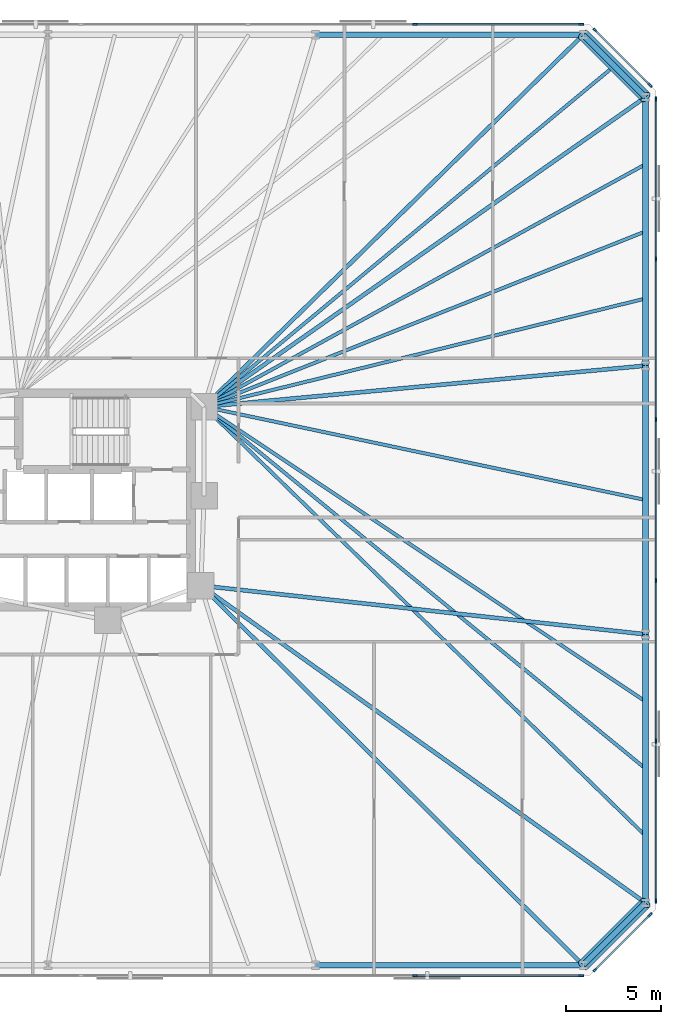
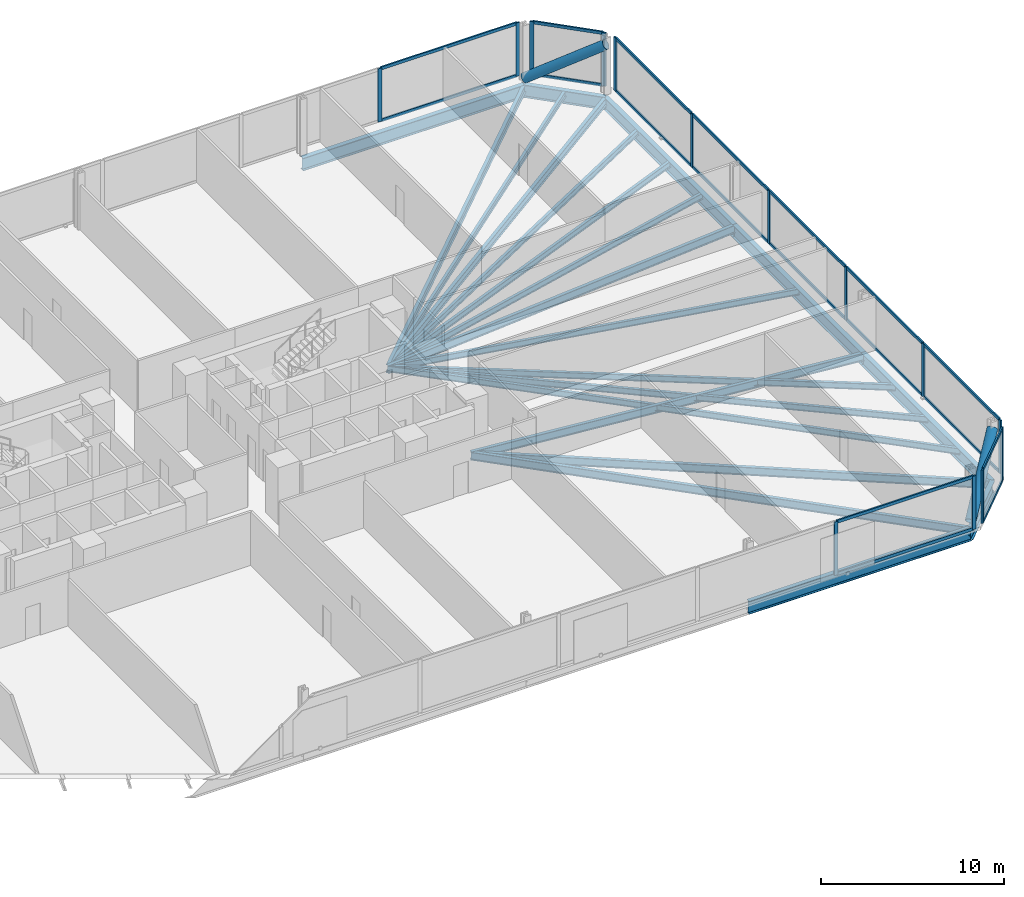
# One storey, part 10 of 17: 34 members, 21 beams, 5 elements without a shape of their own.
"""IFC4 building model written with IfcOpenShell, lengths in metres."""

from ifc_helpers import new_model, si_unit, direction, frame, origin, origin_2d, place, context, subcontext, project, spatial, rectangle, hollow_circle, i_section, extrude, material, material_profile, profile_set, type_object, element, aggregate, save


model = new_model("IFC4")

# Units and contexts
model_context = context("Model", 3, precision=1e-05, world=origin(), true_north=direction((0.0, 1.0)))
body_context = subcontext(model_context, "Body", "Model", "MODEL_VIEW")
ifc_project = project(units=[si_unit("LENGTHUNIT", "METRE"), si_unit("AREAUNIT", "SQUARE_METRE"), si_unit("VOLUMEUNIT", "CUBIC_METRE"), si_unit("PLANEANGLEUNIT", "RADIAN"), si_unit("MASSUNIT", "GRAM", prefix="KILO")], contexts=[model_context])

# Site, building, storey
site_placement = place(None, origin())
site = spatial("IfcSite", under=ifc_project, at=site_placement, CompositionType="ELEMENT")
building_placement = place(site_placement, origin())
building = spatial("IfcBuilding", under=site, at=building_placement, Name="Menara Jurai Vektor", CompositionType="ELEMENT")
storey_placement = place(building_placement, frame((0.0, 0.0, 63.60009765625)))
storey = spatial("IfcBuildingStorey", under=building, at=storey_placement, Name="L15", CompositionType="ELEMENT", Elevation=63.60009765625)

# Curtain wall, members
ifc_material_1 = material(Name="Anodised Pale Aluminium & Low-E Double Glazing", Category="aluminium")
curtain_wall_type = type_object("IfcCurtainWallType", Name="CW-BLK1", PredefinedType="NOTDEFINED", material=ifc_material_1)
curtain_wall_1_placement = place(storey_placement, origin())
curtain_wall_1 = element("IfcCurtainWall", 1, at=curtain_wall_1_placement, inside=storey, type_object=curtain_wall_type, Name="Unitised Curtain Wall L15 F01", PredefinedType="NOTDEFINED")
ifc_material_2 = material(Name="Anodised Pale Aluminium Mullion", Category="aluminium")
ifc_material_profile_1 = material_profile(ifc_material_2, rectangle(XDim=0.094970703125, YDim=0.239990234375, at=origin_2d()), Name="ALU MUL 95x240")
ifc_profile_set_1 = profile_set([ifc_material_profile_1], Name="Anodised Pale Aluminium Mullion")
member_type_1 = type_object("IfcMemberType", Name="CW-BLK1-MUL", PredefinedType="MULLION", material=ifc_profile_set_1)
member_1_placement = place(storey_placement, frame((26.340087890625, -25.0, 0.0), z_axis=(0.0, 0.0, 1.0), x_axis=(0.0, 1.0, 0.0)))
member_1 = element("IfcMember", 2, at=member_1_placement, type_object=member_type_1, Name="CW-01 mullion 8", PredefinedType="MULLION", context=body_context, shape_type="SweptSolid", body=[
    extrude(rectangle(XDim=0.094970703125, YDim=0.239990234375, at=origin_2d()), origin(), (0.0, 0.0, 1.0), 3.574951171875),
])
member_2_placement = place(storey_placement, frame((35.072509765625, -25.0, 0.0), z_axis=(0.0, 0.0, 1.0), x_axis=(0.0, 1.0, 0.0)))
member_2 = element("IfcMember", 3, at=member_2_placement, type_object=member_type_1, Name="CW-01 mullion 9", PredefinedType="MULLION", context=body_context, shape_type="SweptSolid", body=[
    extrude(rectangle(XDim=0.094970703125, YDim=0.239990234375, at=origin_2d()), origin(), (0.0, 0.0, 1.0), 3.574951171875),
])

curtain_wall_2_placement = place(storey_placement, origin())
curtain_wall_2 = element("IfcCurtainWall", 4, at=curtain_wall_2_placement, inside=storey, type_object=curtain_wall_type, Name="Unitised Curtain Wall L15 F02", PredefinedType="NOTDEFINED")
member_3_placement = place(storey_placement, frame((35.80224609375, -24.69775390625, 0.0), z_axis=(0.0, 0.0, 1.0), x_axis=(-0.707106781187, 0.707106781187, 0.0)))
member_3 = element("IfcMember", 5, at=member_3_placement, type_object=member_type_1, Name="CW-01 mullion 1", PredefinedType="MULLION", context=body_context, shape_type="SweptSolid", body=[
    extrude(rectangle(XDim=0.094970703125, YDim=0.239990234375, at=origin_2d()), origin(), (0.0, 0.0, 1.0), 3.574951171875),
])
member_4_placement = place(storey_placement, frame((38.69775390625, -21.80224609375, 0.0), z_axis=(0.0, 0.0, 1.0), x_axis=(-0.707106781187, 0.707106781187, 0.0)))
member_4 = element("IfcMember", 6, at=member_4_placement, type_object=member_type_1, Name="CW-01 mullion 2", PredefinedType="MULLION", context=body_context, shape_type="SweptSolid", body=[
    extrude(rectangle(XDim=0.094970703125, YDim=0.239990234375, at=origin_2d()), origin(), (0.0, 0.0, 1.0), 3.574951171875),
])

curtain_wall_3_placement = place(storey_placement, origin())
curtain_wall_3 = element("IfcCurtainWall", 7, at=curtain_wall_3_placement, inside=storey, type_object=curtain_wall_type, Name="Unitised Curtain Wall L15 F03", PredefinedType="NOTDEFINED")
member_5_placement = place(storey_placement, frame((39.0, -21.072509765625, 0.0), z_axis=(0.0, 0.0, 1.0), x_axis=(-1.0, 0.0, 0.0)))
member_5 = element("IfcMember", 8, at=member_5_placement, type_object=member_type_1, Name="CW-01 mullion 1", PredefinedType="MULLION", context=body_context, shape_type="SweptSolid", body=[
    extrude(rectangle(XDim=0.094970703125, YDim=0.239990234375, at=origin_2d()), origin(), (0.0, 0.0, 1.0), 3.574951171875),
])
member_6_placement = place(storey_placement, frame((39.0, -12.672119140625, 0.0), z_axis=(0.0, 0.0, 1.0), x_axis=(-1.0, 0.0, 0.0)))
member_6 = element("IfcMember", 9, at=member_6_placement, type_object=member_type_1, Name="CW-01 mullion 2", PredefinedType="MULLION", context=body_context, shape_type="SweptSolid", body=[
    extrude(rectangle(XDim=0.094970703125, YDim=0.239990234375, at=origin_2d()), origin(), (0.0, 0.0, 1.0), 3.574951171875),
])
member_7_placement = place(storey_placement, frame((39.0, -4.22412109375, 0.0), z_axis=(0.0, 0.0, 1.0), x_axis=(-1.0, 0.0, 0.0)))
member_7 = element("IfcMember", 10, at=member_7_placement, type_object=member_type_1, Name="CW-01 mullion 3", PredefinedType="MULLION", context=body_context, shape_type="SweptSolid", body=[
    extrude(rectangle(XDim=0.094970703125, YDim=0.239990234375, at=origin_2d()), origin(), (0.0, 0.0, 1.0), 3.574951171875),
])
member_8_placement = place(storey_placement, frame((39.0, 4.22412109375, 0.0), z_axis=(0.0, 0.0, 1.0), x_axis=(-1.0, 0.0, 0.0)))
member_8 = element("IfcMember", 11, at=member_8_placement, type_object=member_type_1, Name="CW-01 mullion 4", PredefinedType="MULLION", context=body_context, shape_type="SweptSolid", body=[
    extrude(rectangle(XDim=0.094970703125, YDim=0.239990234375, at=origin_2d()), origin(), (0.0, 0.0, 1.0), 3.574951171875),
])
member_9_placement = place(storey_placement, frame((39.0, 12.672119140625, 0.0), z_axis=(0.0, 0.0, 1.0), x_axis=(-1.0, 0.0, 0.0)))
member_9 = element("IfcMember", 12, at=member_9_placement, type_object=member_type_1, Name="CW-01 mullion 5", PredefinedType="MULLION", context=body_context, shape_type="SweptSolid", body=[
    extrude(rectangle(XDim=0.094970703125, YDim=0.239990234375, at=origin_2d()), origin(), (0.0, 0.0, 1.0), 3.574951171875),
])
member_10_placement = place(storey_placement, frame((39.0, 21.072509765625, 0.0), z_axis=(0.0, 0.0, 1.0), x_axis=(-1.0, 0.0, 0.0)))
member_10 = element("IfcMember", 13, at=member_10_placement, type_object=member_type_1, Name="CW-01 mullion 6", PredefinedType="MULLION", context=body_context, shape_type="SweptSolid", body=[
    extrude(rectangle(XDim=0.094970703125, YDim=0.239990234375, at=origin_2d()), origin(), (0.0, 0.0, 1.0), 3.574951171875),
])

curtain_wall_4_placement = place(storey_placement, origin())
curtain_wall_4 = element("IfcCurtainWall", 14, at=curtain_wall_4_placement, inside=storey, type_object=curtain_wall_type, Name="Unitised Curtain Wall L15 F04", PredefinedType="NOTDEFINED")
member_11_placement = place(storey_placement, frame((38.69775390625, 21.80224609375, 0.0), z_axis=(0.0, 0.0, 1.0), x_axis=(-0.707106781187, -0.707106781187, 0.0)))
member_11 = element("IfcMember", 15, at=member_11_placement, type_object=member_type_1, Name="CW-01 mullion 1", PredefinedType="MULLION", context=body_context, shape_type="SweptSolid", body=[
    extrude(rectangle(XDim=0.094970703125, YDim=0.239990234375, at=origin_2d()), origin(), (0.0, 0.0, 1.0), 3.574951171875),
])
member_12_placement = place(storey_placement, frame((35.80224609375, 24.69775390625, 0.0), z_axis=(0.0, 0.0, 1.0), x_axis=(-0.707106781187, -0.707106781187, 0.0)))
member_12 = element("IfcMember", 16, at=member_12_placement, type_object=member_type_1, Name="CW-01 mullion 2", PredefinedType="MULLION", context=body_context, shape_type="SweptSolid", body=[
    extrude(rectangle(XDim=0.094970703125, YDim=0.239990234375, at=origin_2d()), origin(), (0.0, 0.0, 1.0), 3.574951171875),
])

curtain_wall_5_placement = place(storey_placement, origin())
curtain_wall_5 = element("IfcCurtainWall", 17, at=curtain_wall_5_placement, inside=storey, type_object=curtain_wall_type, Name="Unitised Curtain Wall L15 F05", PredefinedType="NOTDEFINED")
member_13_placement = place(storey_placement, frame((35.072509765625, 25.0, 0.0), z_axis=(0.0, 0.0, 1.0), x_axis=(0.0, -1.0, 0.0)))
member_13 = element("IfcMember", 18, at=member_13_placement, type_object=member_type_1, Name="CW-01 mullion 1", PredefinedType="MULLION", context=body_context, shape_type="SweptSolid", body=[
    extrude(rectangle(XDim=0.094970703125, YDim=0.239990234375, at=origin_2d()), origin(), (0.0, 0.0, 1.0), 3.574951171875),
])
member_14_placement = place(storey_placement, frame((26.340087890625, 25.0, 0.0), z_axis=(0.0, 0.0, 1.0), x_axis=(0.0, -1.0, 0.0)))
member_14 = element("IfcMember", 19, at=member_14_placement, type_object=member_type_1, Name="CW-01 mullion 2", PredefinedType="MULLION", context=body_context, shape_type="SweptSolid", body=[
    extrude(rectangle(XDim=0.094970703125, YDim=0.239990234375, at=origin_2d()), origin(), (0.0, 0.0, 1.0), 3.574951171875),
])

# Member
ifc_material_3 = material(Name="Anodised Pale Aluminium Transom", Category="aluminium")
ifc_material_profile_2 = material_profile(ifc_material_3, rectangle(XDim=0.094970703125, YDim=0.199951171875, at=origin_2d()), Name="ALU TRN 95x200")
ifc_profile_set_2 = profile_set([ifc_material_profile_2], Name="Anodised Pale Aluminium Transom")
member_type_2 = type_object("IfcMemberType", Name="CW-BLK1-TRN", PredefinedType="USERDEFINED", material=ifc_profile_set_2)
member_15_placement = place(storey_placement, frame((26.387451171875, -25.0, 0.04736328125), z_axis=(1.0, 0.0, 0.0), x_axis=(0.0, 1.0, 0.0)))
member_15 = element("IfcMember", 20, at=member_15_placement, type_object=member_type_2, Name="CW-01 transom 8.1", ObjectType="TRANSOM", PredefinedType="USERDEFINED", context=body_context, shape_type="SweptSolid", body=[
    extrude(rectangle(XDim=0.094970703125, YDim=0.199951171875, at=origin_2d()), origin(), (0.0, 0.0, 1.0), 8.637451171875),
])

member_16_placement = place(storey_placement, frame((26.387451171875, -25.0, 3.52734375), z_axis=(1.0, 0.0, 0.0), x_axis=(0.0, 1.0, 0.0)))
member_16 = element("IfcMember", 21, at=member_16_placement, type_object=member_type_2, Name="CW-01 transom 8.2", ObjectType="TRANSOM", PredefinedType="USERDEFINED", context=body_context, shape_type="SweptSolid", body=[
    extrude(rectangle(XDim=0.094970703125, YDim=0.199951171875, at=origin_2d()), origin(), (0.0, 0.0, 1.0), 8.637451171875),
])

aggregate(curtain_wall_1, [member_1, member_2, member_15, member_16])

member_17_placement = place(storey_placement, frame((35.8359375, -24.6640625, 0.04736328125), z_axis=(0.707106781187, 0.707106781187, 0.0), x_axis=(-0.707106781187, 0.707106781187, 0.0)))
member_17 = element("IfcMember", 22, at=member_17_placement, type_object=member_type_2, Name="CW-01 transom 1.1", ObjectType="TRANSOM", PredefinedType="USERDEFINED", context=body_context, shape_type="SweptSolid", body=[
    extrude(rectangle(XDim=0.094970703125, YDim=0.199951171875, at=origin_2d()), origin(), (0.0, 0.0, 1.0), 3.99951171875),
])

member_18_placement = place(storey_placement, frame((35.8359375, -24.6640625, 3.52734375), z_axis=(0.707106781187, 0.707106781187, 0.0), x_axis=(-0.707106781187, 0.707106781187, 0.0)))
member_18 = element("IfcMember", 23, at=member_18_placement, type_object=member_type_2, Name="CW-01 transom 1.2", ObjectType="TRANSOM", PredefinedType="USERDEFINED", context=body_context, shape_type="SweptSolid", body=[
    extrude(rectangle(XDim=0.094970703125, YDim=0.199951171875, at=origin_2d()), origin(), (0.0, 0.0, 1.0), 3.99951171875),
])

aggregate(curtain_wall_2, [member_3, member_4, member_17, member_18])

member_19_placement = place(storey_placement, frame((39.0, -21.02490234375, 0.04736328125), z_axis=(0.0, 1.0, 0.0), x_axis=(-1.0, 0.0, 0.0)))
member_19 = element("IfcMember", 24, at=member_19_placement, type_object=member_type_2, Name="CW-01 transom 1.1", ObjectType="TRANSOM", PredefinedType="USERDEFINED", context=body_context, shape_type="SweptSolid", body=[
    extrude(rectangle(XDim=0.094970703125, YDim=0.199951171875, at=origin_2d()), origin(), (0.0, 0.0, 1.0), 8.305419921875),
])

member_20_placement = place(storey_placement, frame((39.0, -21.02490234375, 3.52734375), z_axis=(0.0, 1.0, 0.0), x_axis=(-1.0, 0.0, 0.0)))
member_20 = element("IfcMember", 25, at=member_20_placement, type_object=member_type_2, Name="CW-01 transom 1.2", ObjectType="TRANSOM", PredefinedType="USERDEFINED", context=body_context, shape_type="SweptSolid", body=[
    extrude(rectangle(XDim=0.094970703125, YDim=0.199951171875, at=origin_2d()), origin(), (0.0, 0.0, 1.0), 8.305419921875),
])

member_21_placement = place(storey_placement, frame((39.0, -12.62451171875, 0.04736328125), z_axis=(0.0, 1.0, 0.0), x_axis=(-1.0, 0.0, 0.0)))
member_21 = element("IfcMember", 26, at=member_21_placement, type_object=member_type_2, Name="CW-01 transom 2.1", ObjectType="TRANSOM", PredefinedType="USERDEFINED", context=body_context, shape_type="SweptSolid", body=[
    extrude(rectangle(XDim=0.094970703125, YDim=0.199951171875, at=origin_2d()), origin(), (0.0, 0.0, 1.0), 8.35302734375),
])

member_22_placement = place(storey_placement, frame((39.0, -12.62451171875, 3.52734375), z_axis=(0.0, 1.0, 0.0), x_axis=(-1.0, 0.0, 0.0)))
member_22 = element("IfcMember", 27, at=member_22_placement, type_object=member_type_2, Name="CW-01 transom 2.2", ObjectType="TRANSOM", PredefinedType="USERDEFINED", context=body_context, shape_type="SweptSolid", body=[
    extrude(rectangle(XDim=0.094970703125, YDim=0.199951171875, at=origin_2d()), origin(), (0.0, 0.0, 1.0), 8.35302734375),
])

member_23_placement = place(storey_placement, frame((39.0, -4.176513671875, 0.04736328125), z_axis=(0.0, 1.0, 0.0), x_axis=(-1.0, 0.0, 0.0)))
member_23 = element("IfcMember", 28, at=member_23_placement, type_object=member_type_2, Name="CW-01 transom 3.1", ObjectType="TRANSOM", PredefinedType="USERDEFINED", context=body_context, shape_type="SweptSolid", body=[
    extrude(rectangle(XDim=0.094970703125, YDim=0.199951171875, at=origin_2d()), origin(), (0.0, 0.0, 1.0), 8.35302734375),
])

member_24_placement = place(storey_placement, frame((39.0, -4.176513671875, 3.52734375), z_axis=(0.0, 1.0, 0.0), x_axis=(-1.0, 0.0, 0.0)))
member_24 = element("IfcMember", 29, at=member_24_placement, type_object=member_type_2, Name="CW-01 transom 3.2", ObjectType="TRANSOM", PredefinedType="USERDEFINED", context=body_context, shape_type="SweptSolid", body=[
    extrude(rectangle(XDim=0.094970703125, YDim=0.199951171875, at=origin_2d()), origin(), (0.0, 0.0, 1.0), 8.35302734375),
])

member_25_placement = place(storey_placement, frame((39.0, 4.271484375, 0.04736328125), z_axis=(0.0, 1.0, 0.0), x_axis=(-1.0, 0.0, 0.0)))
member_25 = element("IfcMember", 30, at=member_25_placement, type_object=member_type_2, Name="CW-01 transom 4.1", ObjectType="TRANSOM", PredefinedType="USERDEFINED", context=body_context, shape_type="SweptSolid", body=[
    extrude(rectangle(XDim=0.094970703125, YDim=0.199951171875, at=origin_2d()), origin(), (0.0, 0.0, 1.0), 8.35302734375),
])

member_26_placement = place(storey_placement, frame((39.0, 4.271484375, 3.52734375), z_axis=(0.0, 1.0, 0.0), x_axis=(-1.0, 0.0, 0.0)))
member_26 = element("IfcMember", 31, at=member_26_placement, type_object=member_type_2, Name="CW-01 transom 4.2", ObjectType="TRANSOM", PredefinedType="USERDEFINED", context=body_context, shape_type="SweptSolid", body=[
    extrude(rectangle(XDim=0.094970703125, YDim=0.199951171875, at=origin_2d()), origin(), (0.0, 0.0, 1.0), 8.35302734375),
])

member_27_placement = place(storey_placement, frame((39.0, 12.719482421875, 0.04736328125), z_axis=(0.0, 1.0, 0.0), x_axis=(-1.0, 0.0, 0.0)))
member_27 = element("IfcMember", 32, at=member_27_placement, type_object=member_type_2, Name="CW-01 transom 5.1", ObjectType="TRANSOM", PredefinedType="USERDEFINED", context=body_context, shape_type="SweptSolid", body=[
    extrude(rectangle(XDim=0.094970703125, YDim=0.199951171875, at=origin_2d()), origin(), (0.0, 0.0, 1.0), 8.305419921875),
])

member_28_placement = place(storey_placement, frame((39.0, 12.719482421875, 3.52734375), z_axis=(0.0, 1.0, 0.0), x_axis=(-1.0, 0.0, 0.0)))
member_28 = element("IfcMember", 33, at=member_28_placement, type_object=member_type_2, Name="CW-01 transom 5.2", ObjectType="TRANSOM", PredefinedType="USERDEFINED", context=body_context, shape_type="SweptSolid", body=[
    extrude(rectangle(XDim=0.094970703125, YDim=0.199951171875, at=origin_2d()), origin(), (0.0, 0.0, 1.0), 8.305419921875),
])

aggregate(curtain_wall_3, [member_5, member_6, member_7, member_8, member_9, member_10, member_19, member_20, member_21, member_22, member_23, member_24, member_25, member_26, member_27, member_28])

member_29_placement = place(storey_placement, frame((38.6640625, 21.8359375, 0.04736328125), z_axis=(-0.707106781187, 0.707106781187, 0.0), x_axis=(-0.707106781187, -0.707106781187, 0.0)))
member_29 = element("IfcMember", 34, at=member_29_placement, type_object=member_type_2, Name="CW-01 transom 1.1", ObjectType="TRANSOM", PredefinedType="USERDEFINED", context=body_context, shape_type="SweptSolid", body=[
    extrude(rectangle(XDim=0.094970703125, YDim=0.199951171875, at=origin_2d()), origin(), (0.0, 0.0, 1.0), 3.99951171875),
])

member_30_placement = place(storey_placement, frame((38.6640625, 21.8359375, 3.52734375), z_axis=(-0.707106781187, 0.707106781187, 0.0), x_axis=(-0.707106781187, -0.707106781187, 0.0)))
member_30 = element("IfcMember", 35, at=member_30_placement, type_object=member_type_2, Name="CW-01 transom 1.2", ObjectType="TRANSOM", PredefinedType="USERDEFINED", context=body_context, shape_type="SweptSolid", body=[
    extrude(rectangle(XDim=0.094970703125, YDim=0.199951171875, at=origin_2d()), origin(), (0.0, 0.0, 1.0), 3.99951171875),
])

aggregate(curtain_wall_4, [member_11, member_12, member_29, member_30])

member_31_placement = place(storey_placement, frame((35.02490234375, 25.0, 0.04736328125), z_axis=(-1.0, 0.0, 0.0), x_axis=(0.0, -1.0, 0.0)))
member_31 = element("IfcMember", 36, at=member_31_placement, type_object=member_type_2, Name="CW-01 transom 1.1", ObjectType="TRANSOM", PredefinedType="USERDEFINED", context=body_context, shape_type="SweptSolid", body=[
    extrude(rectangle(XDim=0.094970703125, YDim=0.199951171875, at=origin_2d()), origin(), (0.0, 0.0, 1.0), 8.637451171875),
])

member_32_placement = place(storey_placement, frame((35.02490234375, 25.0, 3.52734375), z_axis=(-1.0, 0.0, 0.0), x_axis=(0.0, -1.0, 0.0)))
member_32 = element("IfcMember", 37, at=member_32_placement, type_object=member_type_2, Name="CW-01 transom 1.2", ObjectType="TRANSOM", PredefinedType="USERDEFINED", context=body_context, shape_type="SweptSolid", body=[
    extrude(rectangle(XDim=0.094970703125, YDim=0.199951171875, at=origin_2d()), origin(), (0.0, 0.0, 1.0), 8.637451171875),
])

aggregate(curtain_wall_5, [member_13, member_14, member_31, member_32])

# Beams
ifc_material_4 = material(Name="Steel S355", Category="steel")
ifc_material_profile_3 = material_profile(ifc_material_4, i_section(OverallWidth=0.2109375, OverallDepth=0.5390625, WebThickness=0.011962890625, FlangeThickness=0.01904296875, FilletRadius=0.012939453125, at=origin_2d()), Name="UKB 533x210x109")
ifc_profile_set_3 = profile_set([ifc_material_profile_3], Name="Steel S355")
beam_type_1 = type_object("IfcBeamType", Name="STR-BM-533", PredefinedType="BEAM", material=ifc_profile_set_3)
beam_1_placement = place(storey_placement, frame((35.177734375, -24.449951171875, -0.49462890625), z_axis=(-0.709709931659, 0.704494011972, 0.0), x_axis=(-0.704494011972, -0.709709931659, 0.0)))
element("IfcBeam", 38, at=beam_1_placement, inside=storey, type_object=beam_type_1, Name="Radial Floor Girder L15-S6", PredefinedType="BEAM", context=body_context, shape_type="SweptSolid", body=[
    extrude(i_section(OverallWidth=0.2109375, OverallDepth=0.5390625, WebThickness=0.011962890625, FlangeThickness=0.01904296875, FilletRadius=0.012939453125, at=origin_2d()), origin(), (0.0, 0.0, 1.0), 28.318115234375),
])
beam_2_placement = place(storey_placement, frame((38.449951171875, -21.177734375, -0.49462890625), z_axis=(-0.813981033216, 0.580891450759, 0.0), x_axis=(-0.580891450759, -0.813981033216, 0.0)))
element("IfcBeam", 39, at=beam_2_placement, inside=storey, type_object=beam_type_1, Name="Radial Floor Girder L15-E1", PredefinedType="BEAM", context=body_context, shape_type="SweptSolid", body=[
    extrude(i_section(OverallWidth=0.2109375, OverallDepth=0.5390625, WebThickness=0.011962890625, FlangeThickness=0.01904296875, FilletRadius=0.012939453125, at=origin_2d()), origin(), (0.0, 0.0, 1.0), 28.710693359375),
])
beam_3_placement = place(storey_placement, frame((38.449951171875, -7.059326171875, -0.49462890625), z_axis=(-0.994056757953, 0.108863042253, 0.0), x_axis=(-0.108863042253, -0.994056757953, 0.0)))
element("IfcBeam", 40, at=beam_3_placement, inside=storey, type_object=beam_type_1, Name="Radial Floor Girder L15-E2", PredefinedType="BEAM", context=body_context, shape_type="SweptSolid", body=[
    extrude(i_section(OverallWidth=0.2109375, OverallDepth=0.5390625, WebThickness=0.011962890625, FlangeThickness=0.01904296875, FilletRadius=0.012939453125, at=origin_2d()), origin(), (0.0, 0.0, 1.0), 23.509521484375),
])
beam_4_placement = place(storey_placement, frame((38.449951171875, 7.059326171875, -0.49462890625), z_axis=(-0.995696113112, -0.092678208514, 0.0), x_axis=(0.092678208514, -0.995696113112, 0.0)))
element("IfcBeam", 41, at=beam_4_placement, inside=storey, type_object=beam_type_1, Name="Radial Floor Girder L15-E3", PredefinedType="BEAM", context=body_context, shape_type="SweptSolid", body=[
    extrude(i_section(OverallWidth=0.2109375, OverallDepth=0.5390625, WebThickness=0.011962890625, FlangeThickness=0.01904296875, FilletRadius=0.012939453125, at=origin_2d()), origin(), (0.0, 0.0, 1.0), 23.30029296875),
])
beam_5_placement = place(storey_placement, frame((38.449951171875, 21.177734375, -0.49462890625), z_axis=(-0.818603732445, -0.574358711283, 0.0), x_axis=(0.574358711283, -0.818603732445, 0.0)))
element("IfcBeam", 42, at=beam_5_placement, inside=storey, type_object=beam_type_1, Name="Radial Floor Girder L15-E4", PredefinedType="BEAM", context=body_context, shape_type="SweptSolid", body=[
    extrude(i_section(OverallWidth=0.2109375, OverallDepth=0.5390625, WebThickness=0.011962890625, FlangeThickness=0.01904296875, FilletRadius=0.012939453125, at=origin_2d()), origin(), (0.0, 0.0, 1.0), 28.3408203125),
])
beam_6_placement = place(storey_placement, frame((35.177734375, 24.449951171875, -0.49462890625), z_axis=(-0.713839032855, -0.700309813706, 0.0), x_axis=(0.700309813706, -0.713839032855, 0.0)))
element("IfcBeam", 43, at=beam_6_placement, inside=storey, type_object=beam_type_1, Name="Radial Floor Girder L15-N1", PredefinedType="BEAM", context=body_context, shape_type="SweptSolid", body=[
    extrude(i_section(OverallWidth=0.2109375, OverallDepth=0.5390625, WebThickness=0.011962890625, FlangeThickness=0.01904296875, FilletRadius=0.012939453125, at=origin_2d()), origin(), (0.0, 0.0, 1.0), 27.916259765625),
])

# Members
ifc_material_5 = material(Name="Steel S460", Category="steel")
ifc_material_profile_4 = material_profile(ifc_material_5, hollow_circle(Radius=0.304931640625, WallThickness=0.02490234375, at=origin_2d()), Name="CHS 610x25")
ifc_profile_set_4 = profile_set([ifc_material_profile_4], Name="Steel S460")
member_type_3 = type_object("IfcMemberType", Name="STR-BR-610", PredefinedType="BRACE", material=ifc_profile_set_4)
for number, where, z_axis, x_axis, name in (
    (44, (35.177734375, -24.449951171875, 0.14990234375), (0.588942422958, 0.588942422958, 0.553438022619), (-0.707106781187, 0.707106781187, 0.0), "Exoskeleton Corner Brace L15-1"),
    (45, (35.177734375, 24.449951171875, 0.14990234375), (0.588942422958, -0.588942422958, 0.553438022619), (0.707106781187, 0.707106781187, 0.0), "Exoskeleton Corner Brace L15-2"),
):
    element("IfcMember", number, at=place(storey_placement, frame(where, z_axis=z_axis, x_axis=x_axis)), inside=storey, type_object=member_type_3, Name=name, PredefinedType="BRACE", context=body_context, shape_type="SweptSolid", body=[
        extrude(hollow_circle(Radius=0.304931640625, WallThickness=0.02490234375, at=origin_2d()), origin(), (0.0, 0.0, 1.0), 5.55615234375),
    ])

# Beams
ifc_material_profile_5 = material_profile(ifc_material_4, i_section(OverallWidth=0.178955078125, OverallDepth=0.408935546875, WebThickness=0.009033203125, FlangeThickness=0.013916015625, FilletRadius=0.010009765625, at=origin_2d()), Name="UKB 406x178x67")
ifc_profile_set_5 = profile_set([ifc_material_profile_5], Name="Steel S355")
beam_type_2 = type_object("IfcBeamType", Name="STR-JS-406", PredefinedType="JOIST", material=ifc_profile_set_5)
beam_7_placement = place(storey_placement, frame((38.449951171875, -17.648193359375, -0.4296875), z_axis=(-0.71710942187, 0.696960599363, 0.0), x_axis=(-0.696960599363, -0.71710942187, 0.0)))
element("IfcBeam", 46, at=beam_7_placement, inside=storey, type_object=beam_type_2, Name="Radial Secondary Floor Joist L15-JS08", PredefinedType="JOIST", context=body_context, shape_type="SweptSolid", body=[
    extrude(i_section(OverallWidth=0.178955078125, OverallDepth=0.408935546875, WebThickness=0.009033203125, FlangeThickness=0.013916015625, FilletRadius=0.010009765625, at=origin_2d()), origin(), (0.0, 0.0, 1.0), 32.35205078125),
])
beam_8_placement = place(storey_placement, frame((38.449951171875, -14.118408203125, -0.4296875), z_axis=(-0.773360118456, 0.633966976413, 0.0), x_axis=(-0.633966976413, -0.773360118456, 0.0)))
element("IfcBeam", 47, at=beam_8_placement, inside=storey, type_object=beam_type_2, Name="Radial Secondary Floor Joist L15-JS09", PredefinedType="JOIST", context=body_context, shape_type="SweptSolid", body=[
    extrude(i_section(OverallWidth=0.178955078125, OverallDepth=0.408935546875, WebThickness=0.009033203125, FlangeThickness=0.013916015625, FilletRadius=0.010009765625, at=origin_2d()), origin(), (0.0, 0.0, 1.0), 29.998779296875),
])
beam_9_placement = place(storey_placement, frame((38.449951171875, -10.5888671875, -0.4296875), z_axis=(-0.831683872109, 0.555249436627, 0.0), x_axis=(-0.555249436627, -0.831683872109, 0.0)))
element("IfcBeam", 48, at=beam_9_placement, inside=storey, type_object=beam_type_2, Name="Radial Secondary Floor Joist L15-JS10", PredefinedType="JOIST", context=body_context, shape_type="SweptSolid", body=[
    extrude(i_section(OverallWidth=0.178955078125, OverallDepth=0.408935546875, WebThickness=0.009033203125, FlangeThickness=0.013916015625, FilletRadius=0.010009765625, at=origin_2d()), origin(), (0.0, 0.0, 1.0), 27.895263671875),
])
beam_10_placement = place(storey_placement, frame((38.449951171875, 0.0, -0.4296875), z_axis=(-0.978416084102, 0.206644541109, 0.0), x_axis=(-0.206644541109, -0.978416084102, 0.0)))
element("IfcBeam", 49, at=beam_10_placement, inside=storey, type_object=beam_type_2, Name="Radial Secondary Floor Joist L15-JS11", PredefinedType="JOIST", context=body_context, shape_type="SweptSolid", body=[
    extrude(i_section(OverallWidth=0.178955078125, OverallDepth=0.408935546875, WebThickness=0.009033203125, FlangeThickness=0.013916015625, FilletRadius=0.010009765625, at=origin_2d()), origin(), (0.0, 0.0, 1.0), 23.711669921875),
])
beam_11_placement = place(storey_placement, frame((38.449951171875, 10.5888671875, -0.4296875), z_axis=(-0.971226234641, -0.238158772976, 0.0), x_axis=(0.238158772976, -0.971226234641, 0.0)))
element("IfcBeam", 50, at=beam_11_placement, inside=storey, type_object=beam_type_2, Name="Radial Secondary Floor Joist L15-JS12", PredefinedType="JOIST", context=body_context, shape_type="SweptSolid", body=[
    extrude(i_section(OverallWidth=0.178955078125, OverallDepth=0.408935546875, WebThickness=0.009033203125, FlangeThickness=0.013916015625, FilletRadius=0.010009765625, at=origin_2d()), origin(), (0.0, 0.0, 1.0), 23.88720703125),
])
beam_12_placement = place(storey_placement, frame((38.449951171875, 14.118408203125, -0.4296875), z_axis=(-0.929323400723, -0.369266864027, 0.0), x_axis=(0.369266864027, -0.929323400723, 0.0)))
element("IfcBeam", 51, at=beam_12_placement, inside=storey, type_object=beam_type_2, Name="Radial Secondary Floor Joist L15-JS13", PredefinedType="JOIST", context=body_context, shape_type="SweptSolid", body=[
    extrude(i_section(OverallWidth=0.178955078125, OverallDepth=0.408935546875, WebThickness=0.009033203125, FlangeThickness=0.013916015625, FilletRadius=0.010009765625, at=origin_2d()), origin(), (0.0, 0.0, 1.0), 24.96435546875),
])
beam_13_placement = place(storey_placement, frame((38.449951171875, 17.648193359375, -0.4296875), z_axis=(-0.87640219057, -0.481579900291, 0.0), x_axis=(0.481579900291, -0.87640219057, 0.0)))
element("IfcBeam", 52, at=beam_13_placement, inside=storey, type_object=beam_type_2, Name="Radial Secondary Floor Joist L15-JS14", PredefinedType="JOIST", context=body_context, shape_type="SweptSolid", body=[
    extrude(i_section(OverallWidth=0.178955078125, OverallDepth=0.408935546875, WebThickness=0.009033203125, FlangeThickness=0.013916015625, FilletRadius=0.010009765625, at=origin_2d()), origin(), (0.0, 0.0, 1.0), 26.471923828125),
])
beam_14_placement = place(storey_placement, frame((36.81396484375, 22.81396484375, -0.4296875), z_axis=(-0.769201173096, -0.639006694259, 0.0), x_axis=(0.639006694259, -0.769201173096, 0.0)))
element("IfcBeam", 53, at=beam_14_placement, inside=storey, type_object=beam_type_2, Name="Radial Secondary Floor Joist L15-JS15", PredefinedType="JOIST", context=body_context, shape_type="SweptSolid", body=[
    extrude(i_section(OverallWidth=0.178955078125, OverallDepth=0.408935546875, WebThickness=0.009033203125, FlangeThickness=0.013916015625, FilletRadius=0.010009765625, at=origin_2d()), origin(), (0.0, 0.0, 1.0), 28.0341796875),
])
ifc_material_profile_6 = material_profile(ifc_material_5, i_section(OverallWidth=0.2939453125, OverallDepth=0.85107421875, WebThickness=0.01611328125, FlangeThickness=0.027099609375, FilletRadius=0.01806640625, at=origin_2d()), Name="UKB 838x292x226")
ifc_profile_set_6 = profile_set([ifc_material_profile_6], Name="Steel S460")
beam_type_3 = type_object("IfcBeamType", Name="STR-SP-838", PredefinedType="SPANDREL", material=ifc_profile_set_6)
beam_15_placement = place(storey_placement, frame((21.106689453125, -24.449951171875, -0.650634765625), z_axis=(1.0, 0.0, 0.0), x_axis=(0.0, 1.0, 0.0)))
element("IfcBeam", 54, at=beam_15_placement, inside=storey, type_object=beam_type_3, Name="Exoskeleton Spandrel Beam L15-05", PredefinedType="SPANDREL", context=body_context, shape_type="SweptSolid", body=[
    extrude(i_section(OverallWidth=0.2939453125, OverallDepth=0.85107421875, WebThickness=0.01611328125, FlangeThickness=0.027099609375, FilletRadius=0.01806640625, at=origin_2d()), origin(), (0.0, 0.0, 1.0), 14.071044921875),
])
beam_16_placement = place(storey_placement, frame((35.177734375, -24.449951171875, -0.650634765625), z_axis=(0.707106781187, 0.707106781187, 0.0), x_axis=(-0.707106781187, 0.707106781187, 0.0)))
element("IfcBeam", 55, at=beam_16_placement, inside=storey, type_object=beam_type_3, Name="Exoskeleton Spandrel Beam L15-06", PredefinedType="SPANDREL", context=body_context, shape_type="SweptSolid", body=[
    extrude(i_section(OverallWidth=0.2939453125, OverallDepth=0.85107421875, WebThickness=0.01611328125, FlangeThickness=0.027099609375, FilletRadius=0.01806640625, at=origin_2d()), origin(), (0.0, 0.0, 1.0), 4.627685546875),
])
beam_17_placement = place(storey_placement, frame((38.449951171875, -21.177734375, -0.650634765625), z_axis=(0.0, 1.0, 0.0), x_axis=(-1.0, 0.0, 0.0)))
element("IfcBeam", 56, at=beam_17_placement, inside=storey, type_object=beam_type_3, Name="Exoskeleton Spandrel Beam L15-07", PredefinedType="SPANDREL", context=body_context, shape_type="SweptSolid", body=[
    extrude(i_section(OverallWidth=0.2939453125, OverallDepth=0.85107421875, WebThickness=0.01611328125, FlangeThickness=0.027099609375, FilletRadius=0.01806640625, at=origin_2d()), origin(), (0.0, 0.0, 1.0), 14.118408203125),
])
beam_18_placement = place(storey_placement, frame((38.449951171875, -7.059326171875, -0.650634765625), z_axis=(0.0, 1.0, 0.0), x_axis=(-1.0, 0.0, 0.0)))
element("IfcBeam", 57, at=beam_18_placement, inside=storey, type_object=beam_type_3, Name="Exoskeleton Spandrel Beam L15-08", PredefinedType="SPANDREL", context=body_context, shape_type="SweptSolid", body=[
    extrude(i_section(OverallWidth=0.2939453125, OverallDepth=0.85107421875, WebThickness=0.01611328125, FlangeThickness=0.027099609375, FilletRadius=0.01806640625, at=origin_2d()), origin(), (0.0, 0.0, 1.0), 14.11865234375),
])
beam_19_placement = place(storey_placement, frame((38.449951171875, 7.059326171875, -0.650634765625), z_axis=(0.0, 1.0, 0.0), x_axis=(-1.0, 0.0, 0.0)))
element("IfcBeam", 58, at=beam_19_placement, inside=storey, type_object=beam_type_3, Name="Exoskeleton Spandrel Beam L15-09", PredefinedType="SPANDREL", context=body_context, shape_type="SweptSolid", body=[
    extrude(i_section(OverallWidth=0.2939453125, OverallDepth=0.85107421875, WebThickness=0.01611328125, FlangeThickness=0.027099609375, FilletRadius=0.01806640625, at=origin_2d()), origin(), (0.0, 0.0, 1.0), 14.118408203125),
])
beam_20_placement = place(storey_placement, frame((38.449951171875, 21.177734375, -0.650634765625), z_axis=(-0.707106781187, 0.707106781187, 0.0), x_axis=(-0.707106781187, -0.707106781187, 0.0)))
element("IfcBeam", 59, at=beam_20_placement, inside=storey, type_object=beam_type_3, Name="Exoskeleton Spandrel Beam L15-10", PredefinedType="SPANDREL", context=body_context, shape_type="SweptSolid", body=[
    extrude(i_section(OverallWidth=0.2939453125, OverallDepth=0.85107421875, WebThickness=0.01611328125, FlangeThickness=0.027099609375, FilletRadius=0.01806640625, at=origin_2d()), origin(), (0.0, 0.0, 1.0), 4.627685546875),
])
beam_21_placement = place(storey_placement, frame((35.177734375, 24.449951171875, -0.650634765625), z_axis=(-1.0, 0.0, 0.0), x_axis=(0.0, -1.0, 0.0)))
element("IfcBeam", 60, at=beam_21_placement, inside=storey, type_object=beam_type_3, Name="Exoskeleton Spandrel Beam L15-11", PredefinedType="SPANDREL", context=body_context, shape_type="SweptSolid", body=[
    extrude(i_section(OverallWidth=0.2939453125, OverallDepth=0.85107421875, WebThickness=0.01611328125, FlangeThickness=0.027099609375, FilletRadius=0.01806640625, at=origin_2d()), origin(), (0.0, 0.0, 1.0), 14.071044921875),
])

save(model, "model.ifc")
